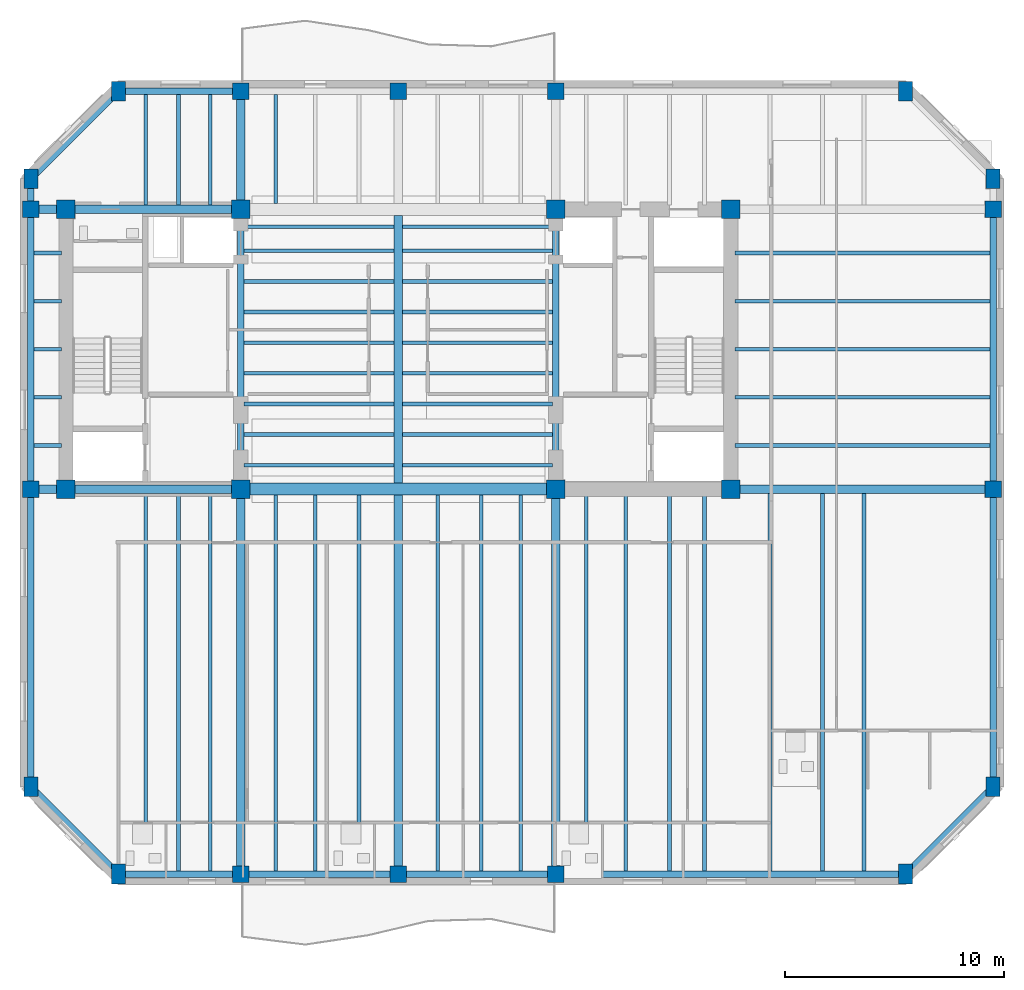
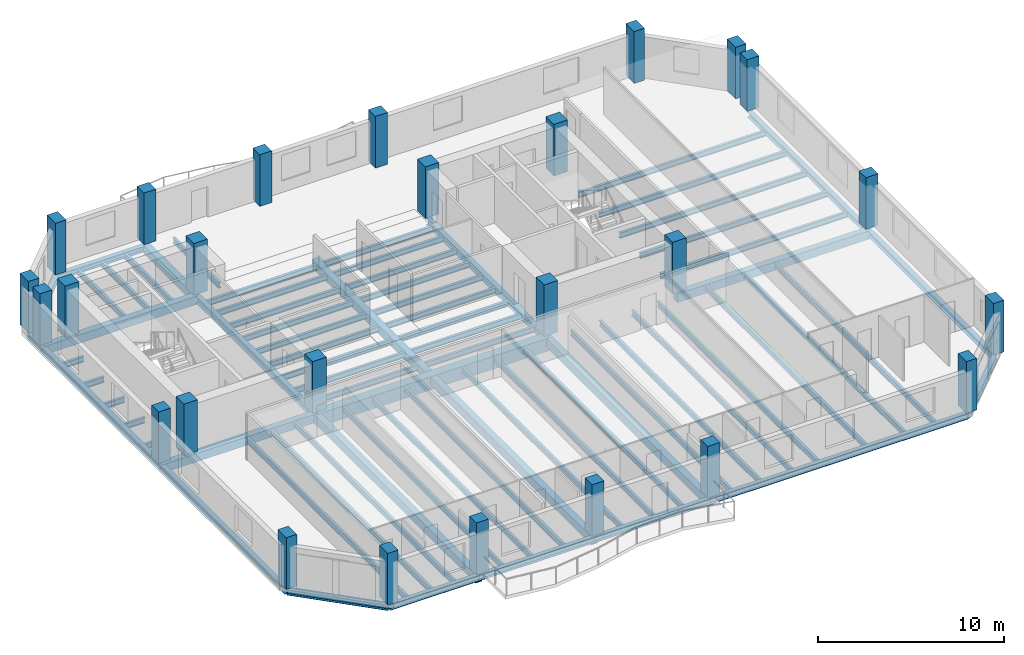
# One storey, part 1 of 10: 72 beams, 26 columns.
"""IFC4 building model written with IfcOpenShell, lengths in metres."""

from ifc_helpers import new_model, si_unit, direction, frame, origin, origin_2d, place, context, subcontext, project, spatial, rectangle, i_section, extrude, material, material_profile, profile_set, type_object, element, save


model = new_model("IFC4")

# Units and contexts
model_context = context("Model", 3, precision=1e-05, world=origin(), true_north=direction((0.0, 1.0)))
body_context = subcontext(model_context, "Body", "Model", "MODEL_VIEW")
ifc_project = project(units=[si_unit("LENGTHUNIT", "METRE"), si_unit("AREAUNIT", "SQUARE_METRE"), si_unit("VOLUMEUNIT", "CUBIC_METRE"), si_unit("PLANEANGLEUNIT", "RADIAN"), si_unit("MASSUNIT", "GRAM", prefix="KILO")], contexts=[model_context])

# Site, building, storey
site_placement = place(None, origin())
site = spatial("IfcSite", under=ifc_project, at=site_placement, CompositionType="ELEMENT")
building_placement = place(site_placement, origin())
building = spatial("IfcBuilding", under=site, at=building_placement, Name="Kranthara Brick Stack", CompositionType="ELEMENT")
storey_placement = place(building_placement, frame((0.0, 0.0, 234.699951171875)))
storey = spatial("IfcBuildingStorey", under=building, at=storey_placement, Name="L61", CompositionType="ELEMENT", Elevation=234.699951171875)

# Columns
ifc_material_1 = material(Name="Concrete C50/60", Category="concrete")
ifc_material_profile_1 = material_profile(ifc_material_1, rectangle(XDim=0.64990234375, YDim=0.89990234375, at=origin_2d()), Name="RC 650x900")
ifc_profile_set_1 = profile_set([ifc_material_profile_1], Name="Concrete C50/60")
column_type_1 = type_object("IfcColumnType", Name="COL-CHAM-650x900", PredefinedType="COLUMN", material=ifc_profile_set_1)
for number, where, z_axis, x_axis, name in (
    (1, (15.199951171875, 3.199951171875, 0.0), (0.0, 0.0, 1.0), (1.0, 0.0, 0.0), "L61 Column 09"),
    (2, (15.199951171875, 39.0, 0.0), (0.0, 0.0, 1.0), (1.0, 0.0, 0.0), "L61 Column 10"),
    (3, (51.199951171875, 3.199951171875, 0.0), (0.0, 0.0, 1.0), (1.0, 0.0, 0.0), "L61 Column 17"),
    (4, (51.199951171875, 39.0, 0.0), (0.0, 0.0, 1.0), (1.0, 0.0, 0.0), "L61 Column 18"),
    (5, (11.199951171875, 7.199951171875, 0.0), (0.0, 0.0, 1.0), (1.0, 0.0, 0.0), "L61 Column 19"),
    (6, (55.199951171875, 7.199951171875, 0.0), (0.0, 0.0, 1.0), (1.0, 0.0, 0.0), "L61 Column 20"),
    (7, (11.199951171875, 35.0, 0.0), (0.0, 0.0, 1.0), (1.0, 0.0, 0.0), "L61 Column 25"),
    (8, (55.199951171875, 35.0, 0.0), (0.0, 0.0, 1.0), (1.0, 0.0, 0.0), "L61 Column 26"),
):
    element("IfcColumn", number, at=place(storey_placement, frame(where, z_axis=z_axis, x_axis=x_axis)), inside=storey, type_object=column_type_1, Name=name, PredefinedType="COLUMN", context=body_context, shape_type="SweptSolid", body=[
        extrude(rectangle(XDim=0.64990234375, YDim=0.89990234375, at=origin_2d()), origin(), (0.0, 0.0, 1.0), 3.400146484375),
    ])
ifc_material_2 = material(Name="Concrete C50/60", Category="concrete")
ifc_material_profile_2 = material_profile(ifc_material_2, rectangle(XDim=0.85009765625, YDim=0.85009765625, at=origin_2d()), Name="RC 850x850")
ifc_profile_set_2 = profile_set([ifc_material_profile_2], Name="Concrete C50/60")
column_type_2 = type_object("IfcColumnType", Name="COL-CORE-850", PredefinedType="COLUMN", material=ifc_profile_set_2)
for number, where, z_axis, x_axis, name in (
    (9, (12.800048828125, 20.800048828125, 0.0), (0.0, 0.0, 1.0), (1.0, 0.0, 0.0), "L61 Column 01"),
    (10, (20.800048828125, 20.800048828125, 0.0), (0.0, 0.0, 1.0), (1.0, 0.0, 0.0), "L61 Column 02"),
    (11, (12.800048828125, 33.60009765625, 0.0), (0.0, 0.0, 1.0), (1.0, 0.0, 0.0), "L61 Column 03"),
    (12, (20.800048828125, 33.60009765625, 0.0), (0.0, 0.0, 1.0), (1.0, 0.0, 0.0), "L61 Column 04"),
    (13, (35.199951171875, 20.800048828125, 0.0), (0.0, 0.0, 1.0), (1.0, 0.0, 0.0), "L61 Column 05"),
    (14, (43.199951171875, 20.800048828125, 0.0), (0.0, 0.0, 1.0), (1.0, 0.0, 0.0), "L61 Column 06"),
    (15, (35.199951171875, 33.60009765625, 0.0), (0.0, 0.0, 1.0), (1.0, 0.0, 0.0), "L61 Column 07"),
    (16, (43.199951171875, 33.60009765625, 0.0), (0.0, 0.0, 1.0), (1.0, 0.0, 0.0), "L61 Column 08"),
):
    element("IfcColumn", number, at=place(storey_placement, frame(where, z_axis=z_axis, x_axis=x_axis)), inside=storey, type_object=column_type_2, Name=name, PredefinedType="COLUMN", context=body_context, shape_type="SweptSolid", body=[
        extrude(rectangle(XDim=0.85009765625, YDim=0.85009765625, at=origin_2d()), origin(), (0.0, 0.0, 1.0), 3.400146484375),
    ])
ifc_material_3 = material(Name="Concrete C50/60", Category="concrete")
ifc_material_profile_3 = material_profile(ifc_material_3, rectangle(XDim=0.75, YDim=0.75, at=origin_2d()), Name="RC 750x750")
ifc_profile_set_3 = profile_set([ifc_material_profile_3], Name="Concrete C50/60")
column_type_3 = type_object("IfcColumnType", Name="COL-PER-750", PredefinedType="COLUMN", material=ifc_profile_set_3)
for number, where, z_axis, x_axis, name in (
    (17, (20.800048828125, 3.199951171875, 0.0), (0.0, 0.0, 1.0), (1.0, 0.0, 0.0), "L61 Column 11"),
    (18, (20.800048828125, 39.0, 0.0), (0.0, 0.0, 1.0), (1.0, 0.0, 0.0), "L61 Column 12"),
    (19, (28.0, 3.199951171875, 0.0), (0.0, 0.0, 1.0), (1.0, 0.0, 0.0), "L61 Column 13"),
    (20, (28.0, 39.0, 0.0), (0.0, 0.0, 1.0), (1.0, 0.0, 0.0), "L61 Column 14"),
    (21, (35.199951171875, 3.199951171875, 0.0), (0.0, 0.0, 1.0), (1.0, 0.0, 0.0), "L61 Column 15"),
    (22, (35.199951171875, 39.0, 0.0), (0.0, 0.0, 1.0), (1.0, 0.0, 0.0), "L61 Column 16"),
    (23, (11.199951171875, 20.800048828125, 0.0), (0.0, 0.0, 1.0), (1.0, 0.0, 0.0), "L61 Column 21"),
    (24, (55.199951171875, 20.800048828125, 0.0), (0.0, 0.0, 1.0), (1.0, 0.0, 0.0), "L61 Column 22"),
    (25, (11.199951171875, 33.60009765625, 0.0), (0.0, 0.0, 1.0), (1.0, 0.0, 0.0), "L61 Column 23"),
    (26, (55.199951171875, 33.60009765625, 0.0), (0.0, 0.0, 1.0), (1.0, 0.0, 0.0), "L61 Column 24"),
):
    element("IfcColumn", number, at=place(storey_placement, frame(where, z_axis=z_axis, x_axis=x_axis)), inside=storey, type_object=column_type_3, Name=name, PredefinedType="COLUMN", context=body_context, shape_type="SweptSolid", body=[
        extrude(rectangle(XDim=0.75, YDim=0.75, at=origin_2d()), origin(), (0.0, 0.0, 1.0), 3.400146484375),
    ])

# Beams
ifc_material_4 = material(Name="Concrete C50/60", Category="concrete")
ifc_material_profile_4 = material_profile(ifc_material_4, rectangle(XDim=0.550048828125, YDim=0.85009765625, at=origin_2d()), Name="RC 550x850")
ifc_profile_set_4 = profile_set([ifc_material_profile_4], Name="Concrete C50/60")
beam_type_1 = type_object("IfcBeamType", Name="BM-CPL-RC850", PredefinedType="LINTEL", material=ifc_profile_set_4)
beam_1_placement = place(storey_placement, frame((20.800048828125, 20.800048828125, -0.724853515625), z_axis=(1.0, 0.0, 0.0), x_axis=(0.0, 1.0, 0.0)))
element("IfcBeam", 27, at=beam_1_placement, inside=storey, type_object=beam_type_1, Name="L61 Core Coupling Beam 001", PredefinedType="LINTEL", context=body_context, shape_type="SweptSolid", body=[
    extrude(rectangle(XDim=0.550048828125, YDim=0.85009765625, at=origin_2d()), origin(), (0.0, 0.0, 1.0), 14.39990234375),
])
ifc_material_5 = material(Name="Post-tensioned concrete C45/55", Category="concrete")
ifc_material_profile_5 = material_profile(ifc_material_5, rectangle(XDim=0.39990234375, YDim=0.550048828125, at=origin_2d()), Name="PT 400x550")
ifc_profile_set_5 = profile_set([ifc_material_profile_5], Name="Post-tensioned concrete C45/55")
beam_type_2 = type_object("IfcBeamType", Name="BM-FLR-PT550", PredefinedType="BEAM", material=ifc_profile_set_5)
beam_2_placement = place(storey_placement, frame((20.800048828125, 3.199951171875, -0.574951171875), z_axis=(0.0, 1.0, 0.0), x_axis=(-1.0, 0.0, 0.0)))
element("IfcBeam", 28, at=beam_2_placement, inside=storey, type_object=beam_type_2, Name="L61 Primary Grid Girder 023", PredefinedType="BEAM", context=body_context, shape_type="SweptSolid", body=[
    extrude(rectangle(XDim=0.39990234375, YDim=0.550048828125, at=origin_2d()), origin(), (0.0, 0.0, 1.0), 17.60009765625),
])
beam_3_placement = place(storey_placement, frame((20.800048828125, 33.60009765625, -0.574951171875), z_axis=(0.0, 1.0, 0.0), x_axis=(-1.0, 0.0, 0.0)))
element("IfcBeam", 29, at=beam_3_placement, inside=storey, type_object=beam_type_2, Name="L61 Primary Grid Girder 024", PredefinedType="BEAM", context=body_context, shape_type="SweptSolid", body=[
    extrude(rectangle(XDim=0.39990234375, YDim=0.550048828125, at=origin_2d()), origin(), (0.0, 0.0, 1.0), 5.39990234375),
])
beam_4_placement = place(storey_placement, frame((28.0, 3.199951171875, -0.574951171875), z_axis=(0.0, 1.0, 0.0), x_axis=(-1.0, 0.0, 0.0)))
element("IfcBeam", 30, at=beam_4_placement, inside=storey, type_object=beam_type_2, Name="L61 Primary Grid Girder 025", PredefinedType="BEAM", context=body_context, shape_type="SweptSolid", body=[
    extrude(rectangle(XDim=0.39990234375, YDim=0.550048828125, at=origin_2d()), origin(), (0.0, 0.0, 1.0), 17.324951171875),
])
beam_5_placement = place(storey_placement, frame((28.0, 21.074951171875, -0.574951171875), z_axis=(0.0, 1.0, 0.0), x_axis=(-1.0, 0.0, 0.0)))
element("IfcBeam", 31, at=beam_5_placement, inside=storey, type_object=beam_type_2, Name="L61 Central Spine Girder 026", PredefinedType="BEAM", context=body_context, shape_type="SweptSolid", body=[
    extrude(rectangle(XDim=0.39990234375, YDim=0.550048828125, at=origin_2d()), origin(), (0.0, 0.0, 1.0), 12.25),
])
beam_6_placement = place(storey_placement, frame((35.199951171875, 3.199951171875, -0.574951171875), z_axis=(0.0, 1.0, 0.0), x_axis=(-1.0, 0.0, 0.0)))
element("IfcBeam", 32, at=beam_6_placement, inside=storey, type_object=beam_type_2, Name="L61 Primary Grid Girder 028", PredefinedType="BEAM", context=body_context, shape_type="SweptSolid", body=[
    extrude(rectangle(XDim=0.39990234375, YDim=0.550048828125, at=origin_2d()), origin(), (0.0, 0.0, 1.0), 17.60009765625),
])
beam_7_placement = place(storey_placement, frame((11.199951171875, 20.800048828125, -0.574951171875), z_axis=(1.0, 0.0, 0.0), x_axis=(0.0, 1.0, 0.0)))
element("IfcBeam", 33, at=beam_7_placement, inside=storey, type_object=beam_type_2, Name="L61 Primary Grid Girder 030", PredefinedType="BEAM", context=body_context, shape_type="SweptSolid", body=[
    extrude(rectangle(XDim=0.39990234375, YDim=0.550048828125, at=origin_2d()), origin(), (0.0, 0.0, 1.0), 9.60009765625),
])
beam_8_placement = place(storey_placement, frame((43.199951171875, 20.800048828125, -0.574951171875), z_axis=(1.0, 0.0, 0.0), x_axis=(0.0, 1.0, 0.0)))
element("IfcBeam", 34, at=beam_8_placement, inside=storey, type_object=beam_type_2, Name="L61 Primary Grid Girder 031", PredefinedType="BEAM", context=body_context, shape_type="SweptSolid", body=[
    extrude(rectangle(XDim=0.39990234375, YDim=0.550048828125, at=origin_2d()), origin(), (0.0, 0.0, 1.0), 12.0),
])
beam_9_placement = place(storey_placement, frame((11.199951171875, 33.60009765625, -0.574951171875), z_axis=(1.0, 0.0, 0.0), x_axis=(0.0, 1.0, 0.0)))
element("IfcBeam", 35, at=beam_9_placement, inside=storey, type_object=beam_type_2, Name="L61 Primary Grid Girder 032", PredefinedType="BEAM", context=body_context, shape_type="SweptSolid", body=[
    extrude(rectangle(XDim=0.39990234375, YDim=0.550048828125, at=origin_2d()), origin(), (0.0, 0.0, 1.0), 9.60009765625),
])
ifc_material_6 = material(Name="Steel S355", Category="steel")
ifc_material_profile_6 = material_profile(ifc_material_6, i_section(OverallWidth=0.169921875, OverallDepth=0.360107421875, WebThickness=0.008056640625, FlangeThickness=0.0126953125, at=origin_2d()), Name="IPE 360")
ifc_profile_set_6 = profile_set([ifc_material_profile_6], Name="Steel S355")
beam_type_3 = type_object("IfcBeamType", Name="BM-JST-IPE360", PredefinedType="JOIST", material=ifc_profile_set_6)
for number, where, z_axis, x_axis, name in (
    (36, (20.949951171875, 21.89990234375, -0.47998046875), (1.0, 0.0, 0.0), (0.0, 1.0, 0.0), "L61 Central Floor Joist 034"),
    (37, (28.199951171875, 21.89990234375, -0.47998046875), (1.0, 0.0, 0.0), (0.0, 1.0, 0.0), "L61 Central Floor Joist 035"),
    (38, (20.949951171875, 23.300048828125, -0.47998046875), (1.0, 0.0, 0.0), (0.0, 1.0, 0.0), "L61 Central Floor Joist 036"),
    (39, (28.199951171875, 23.300048828125, -0.47998046875), (1.0, 0.0, 0.0), (0.0, 1.0, 0.0), "L61 Central Floor Joist 037"),
    (40, (20.949951171875, 24.699951171875, -0.47998046875), (1.0, 0.0, 0.0), (0.0, 1.0, 0.0), "L61 Central Floor Joist 038"),
    (41, (28.199951171875, 24.699951171875, -0.47998046875), (1.0, 0.0, 0.0), (0.0, 1.0, 0.0), "L61 Central Floor Joist 039"),
    (42, (20.949951171875, 26.10009765625, -0.47998046875), (1.0, 0.0, 0.0), (0.0, 1.0, 0.0), "L61 Central Floor Joist 040"),
    (43, (28.199951171875, 26.10009765625, -0.47998046875), (1.0, 0.0, 0.0), (0.0, 1.0, 0.0), "L61 Central Floor Joist 041"),
    (44, (20.949951171875, 27.5, -0.47998046875), (1.0, 0.0, 0.0), (0.0, 1.0, 0.0), "L61 Central Floor Joist 042"),
    (45, (28.199951171875, 27.5, -0.47998046875), (1.0, 0.0, 0.0), (0.0, 1.0, 0.0), "L61 Central Floor Joist 043"),
    (46, (20.949951171875, 28.89990234375, -0.47998046875), (1.0, 0.0, 0.0), (0.0, 1.0, 0.0), "L61 Central Floor Joist 044"),
    (47, (28.199951171875, 28.89990234375, -0.47998046875), (1.0, 0.0, 0.0), (0.0, 1.0, 0.0), "L61 Central Floor Joist 045"),
    (48, (20.949951171875, 30.300048828125, -0.47998046875), (1.0, 0.0, 0.0), (0.0, 1.0, 0.0), "L61 Central Floor Joist 046"),
    (49, (28.199951171875, 30.300048828125, -0.47998046875), (1.0, 0.0, 0.0), (0.0, 1.0, 0.0), "L61 Central Floor Joist 047"),
    (50, (20.949951171875, 31.699951171875, -0.47998046875), (1.0, 0.0, 0.0), (0.0, 1.0, 0.0), "L61 Central Floor Joist 048"),
    (51, (28.199951171875, 31.699951171875, -0.47998046875), (1.0, 0.0, 0.0), (0.0, 1.0, 0.0), "L61 Central Floor Joist 049"),
    (52, (20.949951171875, 32.800048828125, -0.47998046875), (1.0, 0.0, 0.0), (0.0, 1.0, 0.0), "L61 Central Floor Joist 050"),
    (53, (28.199951171875, 32.800048828125, -0.47998046875), (1.0, 0.0, 0.0), (0.0, 1.0, 0.0), "L61 Central Floor Joist 051"),
):
    element("IfcBeam", number, at=place(storey_placement, frame(where, z_axis=z_axis, x_axis=x_axis)), inside=storey, type_object=beam_type_3, Name=name, PredefinedType="JOIST", context=body_context, shape_type="SweptSolid", body=[
        extrude(i_section(OverallWidth=0.169921875, OverallDepth=0.360107421875, WebThickness=0.008056640625, FlangeThickness=0.0126953125, at=origin_2d()), origin(), (0.0, 0.0, 1.0), 6.85009765625),
    ])
beam_10_placement = place(storey_placement, frame((16.449951171875, 3.35009765625, -0.47998046875), z_axis=(0.0, 1.0, 0.0), x_axis=(-1.0, 0.0, 0.0)))
element("IfcBeam", 54, at=beam_10_placement, inside=storey, type_object=beam_type_3, Name="L61 South Wing Floor Joist 052", PredefinedType="JOIST", context=body_context, shape_type="SweptSolid", body=[
    extrude(i_section(OverallWidth=0.169921875, OverallDepth=0.360107421875, WebThickness=0.008056640625, FlangeThickness=0.0126953125, at=origin_2d()), origin(), (0.0, 0.0, 1.0), 17.25),
])
beam_11_placement = place(storey_placement, frame((16.449951171875, 33.800048828125, -0.47998046875), z_axis=(0.0, 1.0, 0.0), x_axis=(-1.0, 0.0, 0.0)))
element("IfcBeam", 55, at=beam_11_placement, inside=storey, type_object=beam_type_3, Name="L61 North Wing Floor Joist 053", PredefinedType="JOIST", context=body_context, shape_type="SweptSolid", body=[
    extrude(i_section(OverallWidth=0.169921875, OverallDepth=0.360107421875, WebThickness=0.008056640625, FlangeThickness=0.0126953125, at=origin_2d()), origin(), (0.0, 0.0, 1.0), 5.050048828125),
])
beam_12_placement = place(storey_placement, frame((17.949951171875, 3.35009765625, -0.47998046875), z_axis=(0.0, 1.0, 0.0), x_axis=(-1.0, 0.0, 0.0)))
element("IfcBeam", 56, at=beam_12_placement, inside=storey, type_object=beam_type_3, Name="L61 South Wing Floor Joist 054", PredefinedType="JOIST", context=body_context, shape_type="SweptSolid", body=[
    extrude(i_section(OverallWidth=0.169921875, OverallDepth=0.360107421875, WebThickness=0.008056640625, FlangeThickness=0.0126953125, at=origin_2d()), origin(), (0.0, 0.0, 1.0), 17.25),
])
beam_13_placement = place(storey_placement, frame((17.949951171875, 33.800048828125, -0.47998046875), z_axis=(0.0, 1.0, 0.0), x_axis=(-1.0, 0.0, 0.0)))
element("IfcBeam", 57, at=beam_13_placement, inside=storey, type_object=beam_type_3, Name="L61 North Wing Floor Joist 055", PredefinedType="JOIST", context=body_context, shape_type="SweptSolid", body=[
    extrude(i_section(OverallWidth=0.169921875, OverallDepth=0.360107421875, WebThickness=0.008056640625, FlangeThickness=0.0126953125, at=origin_2d()), origin(), (0.0, 0.0, 1.0), 5.050048828125),
])
beam_14_placement = place(storey_placement, frame((19.39990234375, 3.35009765625, -0.47998046875), z_axis=(0.0, 1.0, 0.0), x_axis=(-1.0, 0.0, 0.0)))
element("IfcBeam", 58, at=beam_14_placement, inside=storey, type_object=beam_type_3, Name="L61 South Wing Floor Joist 056", PredefinedType="JOIST", context=body_context, shape_type="SweptSolid", body=[
    extrude(i_section(OverallWidth=0.169921875, OverallDepth=0.360107421875, WebThickness=0.008056640625, FlangeThickness=0.0126953125, at=origin_2d()), origin(), (0.0, 0.0, 1.0), 17.25),
])
beam_15_placement = place(storey_placement, frame((19.39990234375, 33.800048828125, -0.47998046875), z_axis=(0.0, 1.0, 0.0), x_axis=(-1.0, 0.0, 0.0)))
element("IfcBeam", 59, at=beam_15_placement, inside=storey, type_object=beam_type_3, Name="L61 North Wing Floor Joist 057", PredefinedType="JOIST", context=body_context, shape_type="SweptSolid", body=[
    extrude(i_section(OverallWidth=0.169921875, OverallDepth=0.360107421875, WebThickness=0.008056640625, FlangeThickness=0.0126953125, at=origin_2d()), origin(), (0.0, 0.0, 1.0), 5.050048828125),
])
beam_16_placement = place(storey_placement, frame((22.39990234375, 3.35009765625, -0.47998046875), z_axis=(0.0, 1.0, 0.0), x_axis=(-1.0, 0.0, 0.0)))
element("IfcBeam", 60, at=beam_16_placement, inside=storey, type_object=beam_type_3, Name="L61 South Wing Floor Joist 058", PredefinedType="JOIST", context=body_context, shape_type="SweptSolid", body=[
    extrude(i_section(OverallWidth=0.169921875, OverallDepth=0.360107421875, WebThickness=0.008056640625, FlangeThickness=0.0126953125, at=origin_2d()), origin(), (0.0, 0.0, 1.0), 17.1748046875),
])
beam_17_placement = place(storey_placement, frame((22.39990234375, 33.875, -0.47998046875), z_axis=(0.0, 1.0, 0.0), x_axis=(-1.0, 0.0, 0.0)))
element("IfcBeam", 61, at=beam_17_placement, inside=storey, type_object=beam_type_3, Name="L61 North Wing Floor Joist 059", PredefinedType="JOIST", context=body_context, shape_type="SweptSolid", body=[
    extrude(i_section(OverallWidth=0.169921875, OverallDepth=0.360107421875, WebThickness=0.008056640625, FlangeThickness=0.0126953125, at=origin_2d()), origin(), (0.0, 0.0, 1.0), 4.97509765625),
])
for number, where, z_axis, x_axis, name in (
    (62, (24.199951171875, 3.35009765625, -0.47998046875), (0.0, 1.0, 0.0), (-1.0, 0.0, 0.0), "L61 South Wing Floor Joist 060"),
    (63, (26.199951171875, 3.35009765625, -0.47998046875), (0.0, 1.0, 0.0), (-1.0, 0.0, 0.0), "L61 South Wing Floor Joist 062"),
    (64, (29.800048828125, 3.35009765625, -0.47998046875), (0.0, 1.0, 0.0), (-1.0, 0.0, 0.0), "L61 South Wing Floor Joist 064"),
    (65, (31.800048828125, 3.35009765625, -0.47998046875), (0.0, 1.0, 0.0), (-1.0, 0.0, 0.0), "L61 South Wing Floor Joist 066"),
    (66, (33.60009765625, 3.35009765625, -0.47998046875), (0.0, 1.0, 0.0), (-1.0, 0.0, 0.0), "L61 South Wing Floor Joist 068"),
):
    element("IfcBeam", number, at=place(storey_placement, frame(where, z_axis=z_axis, x_axis=x_axis)), inside=storey, type_object=beam_type_3, Name=name, PredefinedType="JOIST", context=body_context, shape_type="SweptSolid", body=[
        extrude(i_section(OverallWidth=0.169921875, OverallDepth=0.360107421875, WebThickness=0.008056640625, FlangeThickness=0.0126953125, at=origin_2d()), origin(), (0.0, 0.0, 1.0), 17.1748046875),
    ])
for number, where, z_axis, x_axis, name in (
    (67, (36.60009765625, 3.35009765625, -0.47998046875), (0.0, 1.0, 0.0), (-1.0, 0.0, 0.0), "L61 South Wing Floor Joist 070"),
    (68, (38.39990234375, 3.35009765625, -0.47998046875), (0.0, 1.0, 0.0), (-1.0, 0.0, 0.0), "L61 South Wing Floor Joist 072"),
    (69, (40.39990234375, 3.35009765625, -0.47998046875), (0.0, 1.0, 0.0), (-1.0, 0.0, 0.0), "L61 South Wing Floor Joist 074"),
    (70, (42.0, 3.35009765625, -0.47998046875), (0.0, 1.0, 0.0), (-1.0, 0.0, 0.0), "L61 South Wing Floor Joist 076"),
    (71, (45.0, 3.35009765625, -0.47998046875), (0.0, 1.0, 0.0), (-1.0, 0.0, 0.0), "L61 South Wing Floor Joist 078"),
    (72, (47.39990234375, 3.35009765625, -0.47998046875), (0.0, 1.0, 0.0), (-1.0, 0.0, 0.0), "L61 South Wing Floor Joist 080"),
    (73, (49.300048828125, 3.35009765625, -0.47998046875), (0.0, 1.0, 0.0), (-1.0, 0.0, 0.0), "L61 South Wing Floor Joist 082"),
):
    element("IfcBeam", number, at=place(storey_placement, frame(where, z_axis=z_axis, x_axis=x_axis)), inside=storey, type_object=beam_type_3, Name=name, PredefinedType="JOIST", context=body_context, shape_type="SweptSolid", body=[
        extrude(i_section(OverallWidth=0.169921875, OverallDepth=0.360107421875, WebThickness=0.008056640625, FlangeThickness=0.0126953125, at=origin_2d()), origin(), (0.0, 0.0, 1.0), 17.25),
    ])
beam_18_placement = place(storey_placement, frame((11.35009765625, 22.800048828125, -0.47998046875), z_axis=(1.0, 0.0, 0.0), x_axis=(0.0, 1.0, 0.0)))
element("IfcBeam", 74, at=beam_18_placement, inside=storey, type_object=beam_type_3, Name="L61 West Wing Floor Joist 084", PredefinedType="JOIST", context=body_context, shape_type="SweptSolid", body=[
    extrude(i_section(OverallWidth=0.169921875, OverallDepth=0.360107421875, WebThickness=0.008056640625, FlangeThickness=0.0126953125, at=origin_2d()), origin(), (0.0, 0.0, 1.0), 1.25),
])
beam_19_placement = place(storey_placement, frame((43.39990234375, 22.800048828125, -0.47998046875), z_axis=(1.0, 0.0, 0.0), x_axis=(0.0, 1.0, 0.0)))
element("IfcBeam", 75, at=beam_19_placement, inside=storey, type_object=beam_type_3, Name="L61 East Wing Floor Joist 085", PredefinedType="JOIST", context=body_context, shape_type="SweptSolid", body=[
    extrude(i_section(OverallWidth=0.169921875, OverallDepth=0.360107421875, WebThickness=0.008056640625, FlangeThickness=0.0126953125, at=origin_2d()), origin(), (0.0, 0.0, 1.0), 11.650146484375),
])
beam_20_placement = place(storey_placement, frame((11.35009765625, 25.0, -0.47998046875), z_axis=(1.0, 0.0, 0.0), x_axis=(0.0, 1.0, 0.0)))
element("IfcBeam", 76, at=beam_20_placement, inside=storey, type_object=beam_type_3, Name="L61 West Wing Floor Joist 086", PredefinedType="JOIST", context=body_context, shape_type="SweptSolid", body=[
    extrude(i_section(OverallWidth=0.169921875, OverallDepth=0.360107421875, WebThickness=0.008056640625, FlangeThickness=0.0126953125, at=origin_2d()), origin(), (0.0, 0.0, 1.0), 1.25),
])
beam_21_placement = place(storey_placement, frame((43.39990234375, 25.0, -0.47998046875), z_axis=(1.0, 0.0, 0.0), x_axis=(0.0, 1.0, 0.0)))
element("IfcBeam", 77, at=beam_21_placement, inside=storey, type_object=beam_type_3, Name="L61 East Wing Floor Joist 087", PredefinedType="JOIST", context=body_context, shape_type="SweptSolid", body=[
    extrude(i_section(OverallWidth=0.169921875, OverallDepth=0.360107421875, WebThickness=0.008056640625, FlangeThickness=0.0126953125, at=origin_2d()), origin(), (0.0, 0.0, 1.0), 11.650146484375),
])
beam_22_placement = place(storey_placement, frame((11.35009765625, 27.199951171875, -0.47998046875), z_axis=(1.0, 0.0, 0.0), x_axis=(0.0, 1.0, 0.0)))
element("IfcBeam", 78, at=beam_22_placement, inside=storey, type_object=beam_type_3, Name="L61 West Wing Floor Joist 088", PredefinedType="JOIST", context=body_context, shape_type="SweptSolid", body=[
    extrude(i_section(OverallWidth=0.169921875, OverallDepth=0.360107421875, WebThickness=0.008056640625, FlangeThickness=0.0126953125, at=origin_2d()), origin(), (0.0, 0.0, 1.0), 1.25),
])
beam_23_placement = place(storey_placement, frame((43.39990234375, 27.199951171875, -0.47998046875), z_axis=(1.0, 0.0, 0.0), x_axis=(0.0, 1.0, 0.0)))
element("IfcBeam", 79, at=beam_23_placement, inside=storey, type_object=beam_type_3, Name="L61 East Wing Floor Joist 089", PredefinedType="JOIST", context=body_context, shape_type="SweptSolid", body=[
    extrude(i_section(OverallWidth=0.169921875, OverallDepth=0.360107421875, WebThickness=0.008056640625, FlangeThickness=0.0126953125, at=origin_2d()), origin(), (0.0, 0.0, 1.0), 11.650146484375),
])
beam_24_placement = place(storey_placement, frame((11.35009765625, 29.39990234375, -0.47998046875), z_axis=(1.0, 0.0, 0.0), x_axis=(0.0, 1.0, 0.0)))
element("IfcBeam", 80, at=beam_24_placement, inside=storey, type_object=beam_type_3, Name="L61 West Wing Floor Joist 090", PredefinedType="JOIST", context=body_context, shape_type="SweptSolid", body=[
    extrude(i_section(OverallWidth=0.169921875, OverallDepth=0.360107421875, WebThickness=0.008056640625, FlangeThickness=0.0126953125, at=origin_2d()), origin(), (0.0, 0.0, 1.0), 1.25),
])
beam_25_placement = place(storey_placement, frame((43.39990234375, 29.39990234375, -0.47998046875), z_axis=(1.0, 0.0, 0.0), x_axis=(0.0, 1.0, 0.0)))
element("IfcBeam", 81, at=beam_25_placement, inside=storey, type_object=beam_type_3, Name="L61 East Wing Floor Joist 091", PredefinedType="JOIST", context=body_context, shape_type="SweptSolid", body=[
    extrude(i_section(OverallWidth=0.169921875, OverallDepth=0.360107421875, WebThickness=0.008056640625, FlangeThickness=0.0126953125, at=origin_2d()), origin(), (0.0, 0.0, 1.0), 11.650146484375),
])
beam_26_placement = place(storey_placement, frame((11.35009765625, 31.60009765625, -0.47998046875), z_axis=(1.0, 0.0, 0.0), x_axis=(0.0, 1.0, 0.0)))
element("IfcBeam", 82, at=beam_26_placement, inside=storey, type_object=beam_type_3, Name="L61 West Wing Floor Joist 092", PredefinedType="JOIST", context=body_context, shape_type="SweptSolid", body=[
    extrude(i_section(OverallWidth=0.169921875, OverallDepth=0.360107421875, WebThickness=0.008056640625, FlangeThickness=0.0126953125, at=origin_2d()), origin(), (0.0, 0.0, 1.0), 1.25),
])
beam_27_placement = place(storey_placement, frame((43.39990234375, 31.60009765625, -0.47998046875), z_axis=(1.0, 0.0, 0.0), x_axis=(0.0, 1.0, 0.0)))
element("IfcBeam", 83, at=beam_27_placement, inside=storey, type_object=beam_type_3, Name="L61 East Wing Floor Joist 093", PredefinedType="JOIST", context=body_context, shape_type="SweptSolid", body=[
    extrude(i_section(OverallWidth=0.169921875, OverallDepth=0.360107421875, WebThickness=0.008056640625, FlangeThickness=0.0126953125, at=origin_2d()), origin(), (0.0, 0.0, 1.0), 11.650146484375),
])
ifc_material_7 = material(Name="Steel S355", Category="steel")
ifc_material_profile_7 = material_profile(ifc_material_7, i_section(OverallWidth=0.300048828125, OverallDepth=0.360107421875, WebThickness=0.012451171875, FlangeThickness=0.0224609375, at=origin_2d()), Name="HEB 360")
ifc_profile_set_7 = profile_set([ifc_material_profile_7], Name="Steel S355")
beam_type_4 = type_object("IfcBeamType", Name="BM-STL-HEB360", PredefinedType="SPANDREL", material=ifc_profile_set_7)
beam_28_placement = place(storey_placement, frame((15.199951171875, 3.199951171875, -0.47998046875), z_axis=(1.0, 0.0, 0.0), x_axis=(0.0, 1.0, 0.0)))
element("IfcBeam", 84, at=beam_28_placement, inside=storey, type_object=beam_type_4, Name="L61 Perimeter Spandrel Beam 005", PredefinedType="SPANDREL", context=body_context, shape_type="SweptSolid", body=[
    extrude(i_section(OverallWidth=0.300048828125, OverallDepth=0.360107421875, WebThickness=0.012451171875, FlangeThickness=0.0224609375, at=origin_2d()), origin(), (0.0, 0.0, 1.0), 5.60009765625),
])
for number, where, z_axis, x_axis, name in (
    (85, (20.800048828125, 3.199951171875, -0.47998046875), (1.0, 0.0, 0.0), (0.0, 1.0, 0.0), "L61 Perimeter Spandrel Beam 006"),
    (86, (28.0, 3.199951171875, -0.47998046875), (1.0, 0.0, 0.0), (0.0, 1.0, 0.0), "L61 Perimeter Spandrel Beam 007"),
):
    element("IfcBeam", number, at=place(storey_placement, frame(where, z_axis=z_axis, x_axis=x_axis)), inside=storey, type_object=beam_type_4, Name=name, PredefinedType="SPANDREL", context=body_context, shape_type="SweptSolid", body=[
        extrude(i_section(OverallWidth=0.300048828125, OverallDepth=0.360107421875, WebThickness=0.012451171875, FlangeThickness=0.0224609375, at=origin_2d()), origin(), (0.0, 0.0, 1.0), 7.199951171875),
    ])
beam_29_placement = place(storey_placement, frame((35.199951171875, 3.199951171875, -0.47998046875), z_axis=(1.0, 0.0, 0.0), x_axis=(0.0, 1.0, 0.0)))
element("IfcBeam", 87, at=beam_29_placement, inside=storey, type_object=beam_type_4, Name="L61 Perimeter Spandrel Beam 008", PredefinedType="SPANDREL", context=body_context, shape_type="SweptSolid", body=[
    extrude(i_section(OverallWidth=0.300048828125, OverallDepth=0.360107421875, WebThickness=0.012451171875, FlangeThickness=0.0224609375, at=origin_2d()), origin(), (0.0, 0.0, 1.0), 16.0),
])
beam_30_placement = place(storey_placement, frame((15.199951171875, 39.0, -0.47998046875), z_axis=(1.0, 0.0, 0.0), x_axis=(0.0, 1.0, 0.0)))
element("IfcBeam", 88, at=beam_30_placement, inside=storey, type_object=beam_type_4, Name="L61 Perimeter Spandrel Beam 009", PredefinedType="SPANDREL", context=body_context, shape_type="SweptSolid", body=[
    extrude(i_section(OverallWidth=0.300048828125, OverallDepth=0.360107421875, WebThickness=0.012451171875, FlangeThickness=0.0224609375, at=origin_2d()), origin(), (0.0, 0.0, 1.0), 5.60009765625),
])
beam_31_placement = place(storey_placement, frame((11.199951171875, 7.199951171875, -0.47998046875), z_axis=(0.0, 1.0, 0.0), x_axis=(-1.0, 0.0, 0.0)))
element("IfcBeam", 89, at=beam_31_placement, inside=storey, type_object=beam_type_4, Name="L61 Perimeter Spandrel Beam 013", PredefinedType="SPANDREL", context=body_context, shape_type="SweptSolid", body=[
    extrude(i_section(OverallWidth=0.300048828125, OverallDepth=0.360107421875, WebThickness=0.012451171875, FlangeThickness=0.0224609375, at=origin_2d()), origin(), (0.0, 0.0, 1.0), 13.60009765625),
])
beam_32_placement = place(storey_placement, frame((11.199951171875, 20.800048828125, -0.47998046875), z_axis=(0.0, 1.0, 0.0), x_axis=(-1.0, 0.0, 0.0)))
element("IfcBeam", 90, at=beam_32_placement, inside=storey, type_object=beam_type_4, Name="L61 Perimeter Spandrel Beam 014", PredefinedType="SPANDREL", context=body_context, shape_type="SweptSolid", body=[
    extrude(i_section(OverallWidth=0.300048828125, OverallDepth=0.360107421875, WebThickness=0.012451171875, FlangeThickness=0.0224609375, at=origin_2d()), origin(), (0.0, 0.0, 1.0), 12.800048828125),
])
beam_33_placement = place(storey_placement, frame((11.199951171875, 33.60009765625, -0.47998046875), z_axis=(0.0, 1.0, 0.0), x_axis=(-1.0, 0.0, 0.0)))
element("IfcBeam", 91, at=beam_33_placement, inside=storey, type_object=beam_type_4, Name="L61 Perimeter Spandrel Beam 015", PredefinedType="SPANDREL", context=body_context, shape_type="SweptSolid", body=[
    extrude(i_section(OverallWidth=0.300048828125, OverallDepth=0.360107421875, WebThickness=0.012451171875, FlangeThickness=0.0224609375, at=origin_2d()), origin(), (0.0, 0.0, 1.0), 1.39990234375),
])
beam_34_placement = place(storey_placement, frame((55.199951171875, 7.199951171875, -0.47998046875), z_axis=(0.0, 1.0, 0.0), x_axis=(-1.0, 0.0, 0.0)))
element("IfcBeam", 92, at=beam_34_placement, inside=storey, type_object=beam_type_4, Name="L61 Perimeter Spandrel Beam 016", PredefinedType="SPANDREL", context=body_context, shape_type="SweptSolid", body=[
    extrude(i_section(OverallWidth=0.300048828125, OverallDepth=0.360107421875, WebThickness=0.012451171875, FlangeThickness=0.0224609375, at=origin_2d()), origin(), (0.0, 0.0, 1.0), 13.60009765625),
])
beam_35_placement = place(storey_placement, frame((55.199951171875, 20.800048828125, -0.47998046875), z_axis=(0.0, 1.0, 0.0), x_axis=(-1.0, 0.0, 0.0)))
element("IfcBeam", 93, at=beam_35_placement, inside=storey, type_object=beam_type_4, Name="L61 Perimeter Spandrel Beam 017", PredefinedType="SPANDREL", context=body_context, shape_type="SweptSolid", body=[
    extrude(i_section(OverallWidth=0.300048828125, OverallDepth=0.360107421875, WebThickness=0.012451171875, FlangeThickness=0.0224609375, at=origin_2d()), origin(), (0.0, 0.0, 1.0), 12.800048828125),
])
for number, where, z_axis, x_axis, name in (
    (94, (15.199951171875, 3.199951171875, -0.47998046875), (-0.707106781187, 0.707106781187, 0.0), (-0.707106781187, -0.707106781187, 0.0), "L61 Chamfer Corner Spandrel 019"),
    (95, (51.199951171875, 3.199951171875, -0.47998046875), (0.707106781187, 0.707106781187, 0.0), (-0.707106781187, 0.707106781187, 0.0), "L61 Chamfer Corner Spandrel 020"),
    (96, (15.199951171875, 39.0, -0.47998046875), (-0.707106781187, -0.707106781187, 0.0), (0.707106781187, -0.707106781187, 0.0), "L61 Chamfer Corner Spandrel 021"),
):
    element("IfcBeam", number, at=place(storey_placement, frame(where, z_axis=z_axis, x_axis=x_axis)), inside=storey, type_object=beam_type_4, Name=name, PredefinedType="SPANDREL", context=body_context, shape_type="SweptSolid", body=[
        extrude(i_section(OverallWidth=0.300048828125, OverallDepth=0.360107421875, WebThickness=0.012451171875, FlangeThickness=0.0224609375, at=origin_2d()), origin(), (0.0, 0.0, 1.0), 5.65673828125),
    ])
ifc_material_8 = material(Name="Steel S355", Category="steel")
ifc_material_profile_8 = material_profile(ifc_material_8, i_section(OverallWidth=0.300048828125, OverallDepth=0.449951171875, WebThickness=0.013916015625, FlangeThickness=0.02587890625, at=origin_2d()), Name="HEB 450")
ifc_profile_set_8 = profile_set([ifc_material_profile_8], Name="Steel S355")
beam_type_5 = type_object("IfcBeamType", Name="BM-STL-HEB450", PredefinedType="SPANDREL", material=ifc_profile_set_8)
for number, where, z_axis, x_axis, name in (
    (97, (20.800048828125, 20.800048828125, -0.52490234375), (0.0, 1.0, 0.0), (-1.0, 0.0, 0.0), "L61 Core Edge Tie Beam 003"),
    (98, (35.199951171875, 20.800048828125, -0.52490234375), (0.0, 1.0, 0.0), (-1.0, 0.0, 0.0), "L61 Core Edge Tie Beam 004"),
):
    element("IfcBeam", number, at=place(storey_placement, frame(where, z_axis=z_axis, x_axis=x_axis)), inside=storey, type_object=beam_type_5, Name=name, PredefinedType="SPANDREL", context=body_context, shape_type="SweptSolid", body=[
        extrude(i_section(OverallWidth=0.300048828125, OverallDepth=0.449951171875, WebThickness=0.013916015625, FlangeThickness=0.02587890625, at=origin_2d()), origin(), (0.0, 0.0, 1.0), 12.800048828125),
    ])

save(model, "model.ifc")
